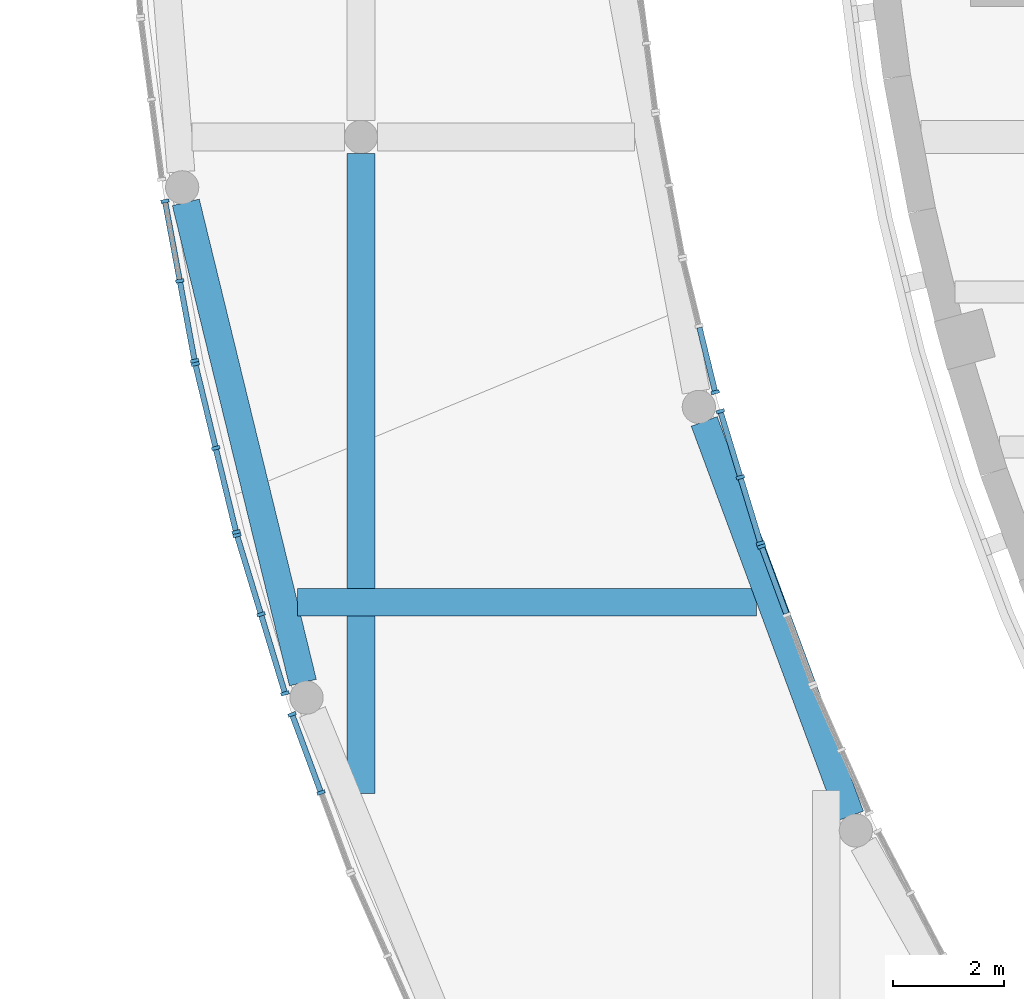
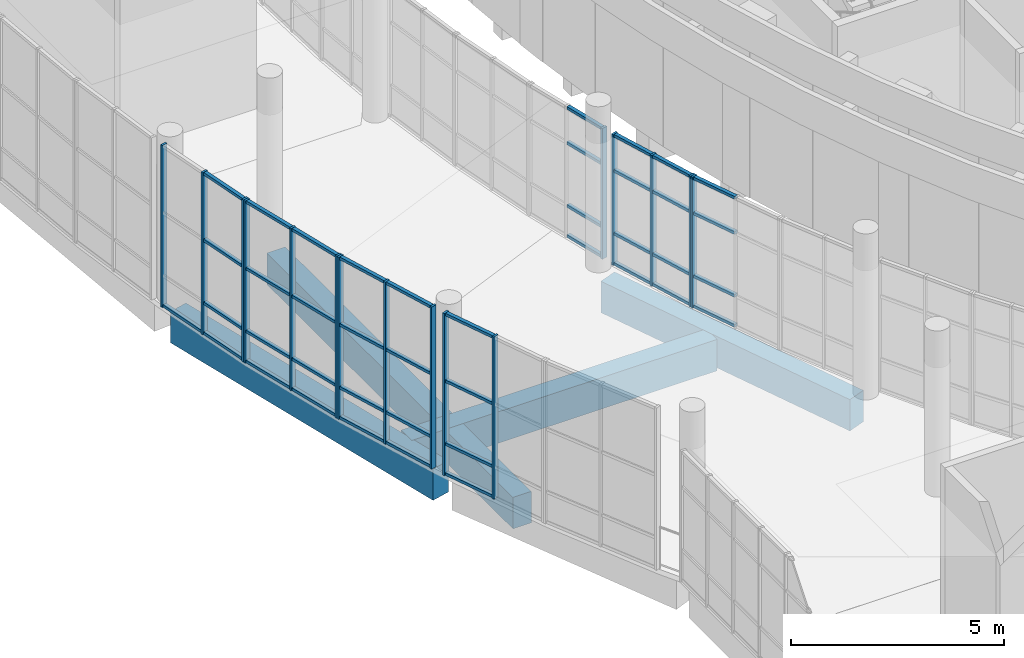
# One storey, part 16 of 119: 57 members, 4 beams, 7 elements without a shape of their own.
"""IFC4 building model written with IfcOpenShell, lengths in metres."""

from ifc_helpers import new_model, si_unit, direction, frame, origin, origin_2d, place, context, subcontext, project, spatial, rectangle, extrude, material, layer, layer_set, material_profile, profile_set, type_object, element, aggregate, save


model = new_model("IFC4")

# Units and contexts
model_context = context("Model", 3, precision=1e-05, world=origin(), true_north=direction((0.0, 1.0)))
body_context = subcontext(model_context, "Body", "Model", "MODEL_VIEW")
ifc_project = project(units=[si_unit("LENGTHUNIT", "METRE"), si_unit("AREAUNIT", "SQUARE_METRE"), si_unit("VOLUMEUNIT", "CUBIC_METRE"), si_unit("PLANEANGLEUNIT", "RADIAN"), si_unit("MASSUNIT", "GRAM", prefix="KILO")], contexts=[model_context])

# Site, building, storey
site_placement = place(None, origin())
site = spatial("IfcSite", under=ifc_project, at=site_placement, CompositionType="ELEMENT")
building_placement = place(site_placement, origin())
building = spatial("IfcBuilding", under=site, at=building_placement, Name="Larchfold Concert Hall", CompositionType="ELEMENT")
storey_placement = place(building_placement, frame((0.0, 0.0, 4.800048828125)))
storey = spatial("IfcBuildingStorey", under=building, at=storey_placement, Name="L01", CompositionType="ELEMENT", Elevation=4.800048828125)

# Curtain wall, member
ifc_material_1 = material(Name="Anodised graphite aluminium curtain wall", Category="aluminium")
ifc_layer = layer(ifc_material_1, 0.14990234375)
ifc_layer_set = layer_set([ifc_layer], Name="Anodised graphite aluminium curtain wall")
curtain_wall_type = type_object("IfcCurtainWallType", Name="Curtain wall WG", PredefinedType="NOTDEFINED", material=ifc_layer_set)
curtain_wall_1_placement = place(storey_placement, origin())
curtain_wall_1 = element("IfcCurtainWall", 1, at=curtain_wall_1_placement, inside=storey, type_object=curtain_wall_type, Name="Curtain wall CW0140", PredefinedType="NOTDEFINED")
ifc_material_2 = material(Name="Anodised graphite aluminium mullion", Category="aluminium")
ifc_material_profile_1 = material_profile(ifc_material_2, rectangle(XDim=0.14990234375, YDim=0.06005859375, at=origin_2d()))
ifc_profile_set_1 = profile_set([ifc_material_profile_1], Name="Anodised graphite aluminium mullion")
member_type_1 = type_object("IfcMemberType", Name="Aluminium mullion 60x150", PredefinedType="MULLION", material=ifc_profile_set_1)
member_1_placement = place(storey_placement, frame((16.230712890625, 68.808837890625, 0.0), z_axis=(0.0, 0.0, 1.0), x_axis=(-0.938001528432, -0.346631119, 0.0)))
member_1 = element("IfcMember", 2, at=member_1_placement, type_object=member_type_1, Name="CW0140 mullion 3", PredefinedType="MULLION", context=body_context, shape_type="SweptSolid", body=[
    extrude(rectangle(XDim=0.14990234375, YDim=0.06005859375, at=origin_2d()), origin(), (0.0, 0.0, 1.0), 3.75),
])

# Curtain wall, members
curtain_wall_2_placement = place(storey_placement, origin())
curtain_wall_2 = element("IfcCurtainWall", 3, at=curtain_wall_2_placement, inside=storey, type_object=curtain_wall_type, Name="Curtain wall CW0141", PredefinedType="NOTDEFINED")
member_2_placement = place(storey_placement, frame((16.21142578125, 68.86572265625, 0.0), z_axis=(0.0, 0.0, 1.0), x_axis=(-0.956861561902, -0.290544233044, 0.0)))
member_2 = element("IfcMember", 4, at=member_2_placement, type_object=member_type_1, Name="CW0141 mullion 1", PredefinedType="MULLION", context=body_context, shape_type="SweptSolid", body=[
    extrude(rectangle(XDim=0.14990234375, YDim=0.06005859375, at=origin_2d()), origin(), (0.0, 0.0, 1.0), 3.75),
])
member_3_placement = place(storey_placement, frame((15.849853515625, 70.056640625, 0.0), z_axis=(0.0, 0.0, 1.0), x_axis=(-0.956861561902, -0.290544233044, 0.0)))
member_3 = element("IfcMember", 5, at=member_3_placement, type_object=member_type_1, Name="CW0141 mullion 2", PredefinedType="MULLION", context=body_context, shape_type="SweptSolid", body=[
    extrude(rectangle(XDim=0.14990234375, YDim=0.06005859375, at=origin_2d()), origin(), (0.0, 0.0, 1.0), 3.75),
])
member_4_placement = place(storey_placement, frame((15.48828125, 71.24755859375, 0.0), z_axis=(0.0, 0.0, 1.0), x_axis=(-0.956861561902, -0.290544233044, 0.0)))
member_4 = element("IfcMember", 6, at=member_4_placement, type_object=member_type_1, Name="CW0141 mullion 3", PredefinedType="MULLION", context=body_context, shape_type="SweptSolid", body=[
    extrude(rectangle(XDim=0.14990234375, YDim=0.06005859375, at=origin_2d()), origin(), (0.0, 0.0, 1.0), 3.75),
])

# Curtain wall, member
curtain_wall_3_placement = place(storey_placement, origin())
curtain_wall_3 = element("IfcCurtainWall", 7, at=curtain_wall_3_placement, inside=storey, type_object=curtain_wall_type, Name="Curtain wall CW0142", PredefinedType="NOTDEFINED")
member_5_placement = place(storey_placement, frame((15.394775390625, 71.591796875, 0.0), z_axis=(0.0, 0.0, 1.0), x_axis=(-0.971766073128, -0.235946390347, 0.0)))
member_5 = element("IfcMember", 8, at=member_5_placement, type_object=member_type_1, Name="CW0142 mullion 1", PredefinedType="MULLION", context=body_context, shape_type="SweptSolid", body=[
    extrude(rectangle(XDim=0.14990234375, YDim=0.06005859375, at=origin_2d()), origin(), (0.0, 0.0, 1.0), 3.75),
])

# Curtain wall, members
curtain_wall_4_placement = place(storey_placement, origin())
curtain_wall_4 = element("IfcCurtainWall", 9, at=curtain_wall_4_placement, inside=storey, type_object=curtain_wall_type, Name="Curtain wall CW0199", PredefinedType="NOTDEFINED")
member_6_placement = place(storey_placement, frame((5.46240234375, 75.041748046875, 0.0), z_axis=(0.0, 0.0, 1.0), x_axis=(0.983230562544, 0.182366830535, 0.0)))
member_6 = element("IfcMember", 10, at=member_6_placement, type_object=member_type_1, Name="CW0199 mullion 1", PredefinedType="MULLION", context=body_context, shape_type="SweptSolid", body=[
    extrude(rectangle(XDim=0.14990234375, YDim=0.06005859375, at=origin_2d()), origin(), (0.0, 0.0, 1.0), 4.64990234375),
])
member_7_placement = place(storey_placement, frame((5.729736328125, 73.600341796875, 0.0), z_axis=(0.0, 0.0, 1.0), x_axis=(0.983230562544, 0.182366830535, 0.0)))
member_7 = element("IfcMember", 11, at=member_7_placement, type_object=member_type_1, Name="CW0199 mullion 2", PredefinedType="MULLION", context=body_context, shape_type="SweptSolid", body=[
    extrude(rectangle(XDim=0.14990234375, YDim=0.06005859375, at=origin_2d()), origin(), (0.0, 0.0, 1.0), 4.64990234375),
])
member_8_placement = place(storey_placement, frame((5.997314453125, 72.158935546875, 0.0), z_axis=(0.0, 0.0, 1.0), x_axis=(0.983230562544, 0.182366830535, 0.0)))
member_8 = element("IfcMember", 12, at=member_8_placement, type_object=member_type_1, Name="CW0199 mullion 3", PredefinedType="MULLION", context=body_context, shape_type="SweptSolid", body=[
    extrude(rectangle(XDim=0.14990234375, YDim=0.06005859375, at=origin_2d()), origin(), (0.0, 0.0, 1.0), 4.64990234375),
])

curtain_wall_5_placement = place(storey_placement, origin())
curtain_wall_5 = element("IfcCurtainWall", 13, at=curtain_wall_5_placement, inside=storey, type_object=curtain_wall_type, Name="Curtain wall CW0200", PredefinedType="NOTDEFINED")
member_9_placement = place(storey_placement, frame((6.009765625, 72.100341796875, 0.0), z_axis=(0.0, 0.0, 1.0), x_axis=(0.97176803509, 0.235938309687, 0.0)))
member_9 = element("IfcMember", 14, at=member_9_placement, type_object=member_type_1, Name="CW0200 mullion 1", PredefinedType="MULLION", context=body_context, shape_type="SweptSolid", body=[
    extrude(rectangle(XDim=0.14990234375, YDim=0.06005859375, at=origin_2d()), origin(), (0.0, 0.0, 1.0), 4.64990234375),
])
member_10_placement = place(storey_placement, frame((6.3779296875, 70.583984375, 0.0), z_axis=(0.0, 0.0, 1.0), x_axis=(0.97176803509, 0.235938309687, 0.0)))
member_10 = element("IfcMember", 15, at=member_10_placement, type_object=member_type_1, Name="CW0200 mullion 2", PredefinedType="MULLION", context=body_context, shape_type="SweptSolid", body=[
    extrude(rectangle(XDim=0.14990234375, YDim=0.06005859375, at=origin_2d()), origin(), (0.0, 0.0, 1.0), 4.64990234375),
])
member_11_placement = place(storey_placement, frame((6.74609375, 69.0673828125, 0.0), z_axis=(0.0, 0.0, 1.0), x_axis=(0.97176803509, 0.235938309687, 0.0)))
member_11 = element("IfcMember", 16, at=member_11_placement, type_object=member_type_1, Name="CW0200 mullion 3", PredefinedType="MULLION", context=body_context, shape_type="SweptSolid", body=[
    extrude(rectangle(XDim=0.14990234375, YDim=0.06005859375, at=origin_2d()), origin(), (0.0, 0.0, 1.0), 4.64990234375),
])

curtain_wall_6_placement = place(storey_placement, origin())
curtain_wall_6 = element("IfcCurtainWall", 17, at=curtain_wall_6_placement, inside=storey, type_object=curtain_wall_type, Name="Curtain wall CW0201", PredefinedType="NOTDEFINED")
member_12_placement = place(storey_placement, frame((6.761962890625, 69.009521484375, 0.0), z_axis=(0.0, 0.0, 1.0), x_axis=(0.956837952339, 0.29062197605, 0.0)))
member_12 = element("IfcMember", 18, at=member_12_placement, type_object=member_type_1, Name="CW0201 mullion 1", PredefinedType="MULLION", context=body_context, shape_type="SweptSolid", body=[
    extrude(rectangle(XDim=0.14990234375, YDim=0.06005859375, at=origin_2d()), origin(), (0.0, 0.0, 1.0), 4.64990234375),
])
member_13_placement = place(storey_placement, frame((7.1953125, 67.582763671875, 0.0), z_axis=(0.0, 0.0, 1.0), x_axis=(0.956837952339, 0.29062197605, 0.0)))
member_13 = element("IfcMember", 19, at=member_13_placement, type_object=member_type_1, Name="CW0201 mullion 2", PredefinedType="MULLION", context=body_context, shape_type="SweptSolid", body=[
    extrude(rectangle(XDim=0.14990234375, YDim=0.06005859375, at=origin_2d()), origin(), (0.0, 0.0, 1.0), 4.64990234375),
])
member_14_placement = place(storey_placement, frame((7.628662109375, 66.15576171875, 0.0), z_axis=(0.0, 0.0, 1.0), x_axis=(0.956837952339, 0.29062197605, 0.0)))
member_14 = element("IfcMember", 20, at=member_14_placement, type_object=member_type_1, Name="CW0201 mullion 3", PredefinedType="MULLION", context=body_context, shape_type="SweptSolid", body=[
    extrude(rectangle(XDim=0.14990234375, YDim=0.06005859375, at=origin_2d()), origin(), (0.0, 0.0, 1.0), 4.64990234375),
])

curtain_wall_7_placement = place(storey_placement, origin())
curtain_wall_7 = element("IfcCurtainWall", 21, at=curtain_wall_7_placement, inside=storey, type_object=curtain_wall_type, Name="Curtain wall CW0202", PredefinedType="NOTDEFINED")
member_15_placement = place(storey_placement, frame((7.756103515625, 65.77734375, 0.0), z_axis=(0.0, 0.0, 1.0), x_axis=(0.938015834921, 0.346592402451, 0.0)))
member_15 = element("IfcMember", 22, at=member_15_placement, type_object=member_type_1, Name="CW0202 mullion 1", PredefinedType="MULLION", context=body_context, shape_type="SweptSolid", body=[
    extrude(rectangle(XDim=0.14990234375, YDim=0.06005859375, at=origin_2d()), origin(), (0.0, 0.0, 1.0), 4.64990234375),
])
member_16_placement = place(storey_placement, frame((8.2783203125, 64.364013671875, 0.0), z_axis=(0.0, 0.0, 1.0), x_axis=(0.938015834921, 0.346592402451, 0.0)))
member_16 = element("IfcMember", 23, at=member_16_placement, type_object=member_type_1, Name="CW0202 mullion 2", PredefinedType="MULLION", context=body_context, shape_type="SweptSolid", body=[
    extrude(rectangle(XDim=0.14990234375, YDim=0.06005859375, at=origin_2d()), origin(), (0.0, 0.0, 1.0), 4.64990234375),
])

# Member
ifc_material_3 = material(Name="Anodised graphite aluminium transom", Category="aluminium")
ifc_material_profile_2 = material_profile(ifc_material_3, rectangle(XDim=0.10009765625, YDim=0.080078125, at=origin_2d()))
ifc_profile_set_2 = profile_set([ifc_material_profile_2], Name="Anodised graphite aluminium transom")
member_type_2 = type_object("IfcMemberType", Name="Aluminium transom 80x100", PredefinedType="USERDEFINED", material=ifc_profile_set_2)
member_17_placement = place(storey_placement, frame((16.677734375, 67.5986328125, 0.0400390625), z_axis=(-0.346639022733, 0.937998607631, 0.0), x_axis=(-0.937998607631, -0.346639022733, 0.0)))
member_17 = element("IfcMember", 24, at=member_17_placement, type_object=member_type_2, Name="CW0140 transom 2.1", ObjectType="TRANSOM", PredefinedType="USERDEFINED", context=body_context, shape_type="SweptSolid", body=[
    extrude(rectangle(XDim=0.10009765625, YDim=0.080078125, at=origin_2d()), origin(), (0.0, 0.0, 1.0), 1.260009765625),
])

member_18_placement = place(storey_placement, frame((16.677734375, 67.5986328125, 0.89990234375), z_axis=(-0.346639022733, 0.937998607631, 0.0), x_axis=(-0.937998607631, -0.346639022733, 0.0)))
member_18 = element("IfcMember", 25, at=member_18_placement, type_object=member_type_2, Name="CW0140 transom 2.2", ObjectType="TRANSOM", PredefinedType="USERDEFINED", context=body_context, shape_type="SweptSolid", body=[
    extrude(rectangle(XDim=0.10009765625, YDim=0.080078125, at=origin_2d()), origin(), (0.0, 0.0, 1.0), 1.260009765625),
])

member_19_placement = place(storey_placement, frame((16.677734375, 67.5986328125, 2.699951171875), z_axis=(-0.346639022733, 0.937998607631, 0.0), x_axis=(-0.937998607631, -0.346639022733, 0.0)))
member_19 = element("IfcMember", 26, at=member_19_placement, type_object=member_type_2, Name="CW0140 transom 2.3", ObjectType="TRANSOM", PredefinedType="USERDEFINED", context=body_context, shape_type="SweptSolid", body=[
    extrude(rectangle(XDim=0.10009765625, YDim=0.080078125, at=origin_2d()), origin(), (0.0, 0.0, 1.0), 1.260009765625),
])

member_20_placement = place(storey_placement, frame((16.677734375, 67.5986328125, 3.7099609375), z_axis=(-0.346639022733, 0.937998607631, 0.0), x_axis=(-0.937998607631, -0.346639022733, 0.0)))
member_20 = element("IfcMember", 27, at=member_20_placement, type_object=member_type_2, Name="CW0140 transom 2.4", ObjectType="TRANSOM", PredefinedType="USERDEFINED", context=body_context, shape_type="SweptSolid", body=[
    extrude(rectangle(XDim=0.10009765625, YDim=0.080078125, at=origin_2d()), origin(), (0.0, 0.0, 1.0), 1.260009765625),
])

aggregate(curtain_wall_1, [member_1, member_17, member_18, member_19, member_20])

member_21_placement = place(storey_placement, frame((16.202880859375, 68.894287109375, 0.0400390625), z_axis=(-0.290579319315, 0.956850907502, 0.0), x_axis=(-0.956850907502, -0.290579319315, 0.0)))
member_21 = element("IfcMember", 28, at=member_21_placement, type_object=member_type_2, Name="CW0141 transom 1.1", ObjectType="TRANSOM", PredefinedType="USERDEFINED", context=body_context, shape_type="SweptSolid", body=[
    extrude(rectangle(XDim=0.10009765625, YDim=0.080078125, at=origin_2d()), origin(), (0.0, 0.0, 1.0), 1.1845703125),
])

member_22_placement = place(storey_placement, frame((16.202880859375, 68.894287109375, 0.89990234375), z_axis=(-0.290579319315, 0.956850907502, 0.0), x_axis=(-0.956850907502, -0.290579319315, 0.0)))
member_22 = element("IfcMember", 29, at=member_22_placement, type_object=member_type_2, Name="CW0141 transom 1.2", ObjectType="TRANSOM", PredefinedType="USERDEFINED", context=body_context, shape_type="SweptSolid", body=[
    extrude(rectangle(XDim=0.10009765625, YDim=0.080078125, at=origin_2d()), origin(), (0.0, 0.0, 1.0), 1.1845703125),
])

member_23_placement = place(storey_placement, frame((16.202880859375, 68.894287109375, 2.699951171875), z_axis=(-0.290579319315, 0.956850907502, 0.0), x_axis=(-0.956850907502, -0.290579319315, 0.0)))
member_23 = element("IfcMember", 30, at=member_23_placement, type_object=member_type_2, Name="CW0141 transom 1.3", ObjectType="TRANSOM", PredefinedType="USERDEFINED", context=body_context, shape_type="SweptSolid", body=[
    extrude(rectangle(XDim=0.10009765625, YDim=0.080078125, at=origin_2d()), origin(), (0.0, 0.0, 1.0), 1.1845703125),
])

member_24_placement = place(storey_placement, frame((16.202880859375, 68.894287109375, 3.7099609375), z_axis=(-0.290579319315, 0.956850907502, 0.0), x_axis=(-0.956850907502, -0.290579319315, 0.0)))
member_24 = element("IfcMember", 31, at=member_24_placement, type_object=member_type_2, Name="CW0141 transom 1.4", ObjectType="TRANSOM", PredefinedType="USERDEFINED", context=body_context, shape_type="SweptSolid", body=[
    extrude(rectangle(XDim=0.10009765625, YDim=0.080078125, at=origin_2d()), origin(), (0.0, 0.0, 1.0), 1.1845703125),
])

member_25_placement = place(storey_placement, frame((15.841064453125, 70.08544921875, 0.0400390625), z_axis=(-0.290579319315, 0.956850907502, 0.0), x_axis=(-0.956850907502, -0.290579319315, 0.0)))
member_25 = element("IfcMember", 32, at=member_25_placement, type_object=member_type_2, Name="CW0141 transom 2.1", ObjectType="TRANSOM", PredefinedType="USERDEFINED", context=body_context, shape_type="SweptSolid", body=[
    extrude(rectangle(XDim=0.10009765625, YDim=0.080078125, at=origin_2d()), origin(), (0.0, 0.0, 1.0), 1.1845703125),
])

member_26_placement = place(storey_placement, frame((15.841064453125, 70.08544921875, 0.89990234375), z_axis=(-0.290579319315, 0.956850907502, 0.0), x_axis=(-0.956850907502, -0.290579319315, 0.0)))
member_26 = element("IfcMember", 33, at=member_26_placement, type_object=member_type_2, Name="CW0141 transom 2.2", ObjectType="TRANSOM", PredefinedType="USERDEFINED", context=body_context, shape_type="SweptSolid", body=[
    extrude(rectangle(XDim=0.10009765625, YDim=0.080078125, at=origin_2d()), origin(), (0.0, 0.0, 1.0), 1.1845703125),
])

member_27_placement = place(storey_placement, frame((15.841064453125, 70.08544921875, 2.699951171875), z_axis=(-0.290579319315, 0.956850907502, 0.0), x_axis=(-0.956850907502, -0.290579319315, 0.0)))
member_27 = element("IfcMember", 34, at=member_27_placement, type_object=member_type_2, Name="CW0141 transom 2.3", ObjectType="TRANSOM", PredefinedType="USERDEFINED", context=body_context, shape_type="SweptSolid", body=[
    extrude(rectangle(XDim=0.10009765625, YDim=0.080078125, at=origin_2d()), origin(), (0.0, 0.0, 1.0), 1.1845703125),
])

member_28_placement = place(storey_placement, frame((15.841064453125, 70.08544921875, 3.7099609375), z_axis=(-0.290579319315, 0.956850907502, 0.0), x_axis=(-0.956850907502, -0.290579319315, 0.0)))
member_28 = element("IfcMember", 35, at=member_28_placement, type_object=member_type_2, Name="CW0141 transom 2.4", ObjectType="TRANSOM", PredefinedType="USERDEFINED", context=body_context, shape_type="SweptSolid", body=[
    extrude(rectangle(XDim=0.10009765625, YDim=0.080078125, at=origin_2d()), origin(), (0.0, 0.0, 1.0), 1.1845703125),
])

aggregate(curtain_wall_2, [member_2, member_3, member_4, member_21, member_22, member_23, member_24, member_25, member_26, member_27, member_28])

member_29_placement = place(storey_placement, frame((15.3876953125, 71.62109375, 0.0400390625), z_axis=(-0.236053588848, 0.971740038895, 0.0), x_axis=(-0.971740038895, -0.236053588848, 0.0)))
member_29 = element("IfcMember", 36, at=member_29_placement, type_object=member_type_2, Name="CW0142 transom 1.1", ObjectType="TRANSOM", PredefinedType="USERDEFINED", context=body_context, shape_type="SweptSolid", body=[
    extrude(rectangle(XDim=0.10009765625, YDim=0.080078125, at=origin_2d()), origin(), (0.0, 0.0, 1.0), 1.1708984375),
])

member_30_placement = place(storey_placement, frame((15.3876953125, 71.62109375, 0.89990234375), z_axis=(-0.236053588848, 0.971740038895, 0.0), x_axis=(-0.971740038895, -0.236053588848, 0.0)))
member_30 = element("IfcMember", 37, at=member_30_placement, type_object=member_type_2, Name="CW0142 transom 1.2", ObjectType="TRANSOM", PredefinedType="USERDEFINED", context=body_context, shape_type="SweptSolid", body=[
    extrude(rectangle(XDim=0.10009765625, YDim=0.080078125, at=origin_2d()), origin(), (0.0, 0.0, 1.0), 1.1708984375),
])

member_31_placement = place(storey_placement, frame((15.3876953125, 71.62109375, 2.699951171875), z_axis=(-0.236053588848, 0.971740038895, 0.0), x_axis=(-0.971740038895, -0.236053588848, 0.0)))
member_31 = element("IfcMember", 38, at=member_31_placement, type_object=member_type_2, Name="CW0142 transom 1.3", ObjectType="TRANSOM", PredefinedType="USERDEFINED", context=body_context, shape_type="SweptSolid", body=[
    extrude(rectangle(XDim=0.10009765625, YDim=0.080078125, at=origin_2d()), origin(), (0.0, 0.0, 1.0), 1.1708984375),
])

member_32_placement = place(storey_placement, frame((15.3876953125, 71.62109375, 3.7099609375), z_axis=(-0.236053588848, 0.971740038895, 0.0), x_axis=(-0.971740038895, -0.236053588848, 0.0)))
member_32 = element("IfcMember", 39, at=member_32_placement, type_object=member_type_2, Name="CW0142 transom 1.4", ObjectType="TRANSOM", PredefinedType="USERDEFINED", context=body_context, shape_type="SweptSolid", body=[
    extrude(rectangle(XDim=0.10009765625, YDim=0.080078125, at=origin_2d()), origin(), (0.0, 0.0, 1.0), 1.1708984375),
])

aggregate(curtain_wall_3, [member_5, member_29, member_30, member_31, member_32])

member_33_placement = place(storey_placement, frame((5.468017578125, 75.01220703125, 0.0400390625), z_axis=(0.18233799129, -0.983235911128, 0.0), x_axis=(0.983235911128, 0.18233799129, 0.0)))
member_33 = element("IfcMember", 40, at=member_33_placement, type_object=member_type_2, Name="CW0199 transom 1.1", ObjectType="TRANSOM", PredefinedType="USERDEFINED", context=body_context, shape_type="SweptSolid", body=[
    extrude(rectangle(XDim=0.10009765625, YDim=0.080078125, at=origin_2d()), origin(), (0.0, 0.0, 1.0), 1.406005859375),
])

member_34_placement = place(storey_placement, frame((5.7353515625, 73.57080078125, 0.0400390625), z_axis=(0.18233799129, -0.983235911128, 0.0), x_axis=(0.983235911128, 0.18233799129, 0.0)))
member_34 = element("IfcMember", 41, at=member_34_placement, type_object=member_type_2, Name="CW0199 transom 2.1", ObjectType="TRANSOM", PredefinedType="USERDEFINED", context=body_context, shape_type="SweptSolid", body=[
    extrude(rectangle(XDim=0.10009765625, YDim=0.080078125, at=origin_2d()), origin(), (0.0, 0.0, 1.0), 1.406005859375),
])

member_35_placement = place(storey_placement, frame((5.7353515625, 73.57080078125, 0.89990234375), z_axis=(0.18233799129, -0.983235911128, 0.0), x_axis=(0.983235911128, 0.18233799129, 0.0)))
member_35 = element("IfcMember", 42, at=member_35_placement, type_object=member_type_2, Name="CW0199 transom 2.2", ObjectType="TRANSOM", PredefinedType="USERDEFINED", context=body_context, shape_type="SweptSolid", body=[
    extrude(rectangle(XDim=0.10009765625, YDim=0.080078125, at=origin_2d()), origin(), (0.0, 0.0, 1.0), 1.406005859375),
])

member_36_placement = place(storey_placement, frame((5.7353515625, 73.57080078125, 2.699951171875), z_axis=(0.18233799129, -0.983235911128, 0.0), x_axis=(0.983235911128, 0.18233799129, 0.0)))
member_36 = element("IfcMember", 43, at=member_36_placement, type_object=member_type_2, Name="CW0199 transom 2.3", ObjectType="TRANSOM", PredefinedType="USERDEFINED", context=body_context, shape_type="SweptSolid", body=[
    extrude(rectangle(XDim=0.10009765625, YDim=0.080078125, at=origin_2d()), origin(), (0.0, 0.0, 1.0), 1.406005859375),
])

member_37_placement = place(storey_placement, frame((5.7353515625, 73.57080078125, 4.60986328125), z_axis=(0.18233799129, -0.983235911128, 0.0), x_axis=(0.983235911128, 0.18233799129, 0.0)))
member_37 = element("IfcMember", 44, at=member_37_placement, type_object=member_type_2, Name="CW0199 transom 2.4", ObjectType="TRANSOM", PredefinedType="USERDEFINED", context=body_context, shape_type="SweptSolid", body=[
    extrude(rectangle(XDim=0.10009765625, YDim=0.080078125, at=origin_2d()), origin(), (0.0, 0.0, 1.0), 1.406005859375),
])

aggregate(curtain_wall_4, [member_6, member_7, member_8, member_33, member_34, member_35, member_36, member_37])

member_38_placement = place(storey_placement, frame((6.016845703125, 72.071044921875, 0.0400390625), z_axis=(0.235944645089, -0.971766496878, 0.0), x_axis=(0.971766496878, 0.235944645089, 0.0)))
member_38 = element("IfcMember", 45, at=member_38_placement, type_object=member_type_2, Name="CW0200 transom 1.1", ObjectType="TRANSOM", PredefinedType="USERDEFINED", context=body_context, shape_type="SweptSolid", body=[
    extrude(rectangle(XDim=0.10009765625, YDim=0.080078125, at=origin_2d()), origin(), (0.0, 0.0, 1.0), 1.50048828125),
])

member_39_placement = place(storey_placement, frame((6.016845703125, 72.071044921875, 0.89990234375), z_axis=(0.235944645089, -0.971766496878, 0.0), x_axis=(0.971766496878, 0.235944645089, 0.0)))
member_39 = element("IfcMember", 46, at=member_39_placement, type_object=member_type_2, Name="CW0200 transom 1.2", ObjectType="TRANSOM", PredefinedType="USERDEFINED", context=body_context, shape_type="SweptSolid", body=[
    extrude(rectangle(XDim=0.10009765625, YDim=0.080078125, at=origin_2d()), origin(), (0.0, 0.0, 1.0), 1.50048828125),
])

member_40_placement = place(storey_placement, frame((6.016845703125, 72.071044921875, 2.699951171875), z_axis=(0.235944645089, -0.971766496878, 0.0), x_axis=(0.971766496878, 0.235944645089, 0.0)))
member_40 = element("IfcMember", 47, at=member_40_placement, type_object=member_type_2, Name="CW0200 transom 1.3", ObjectType="TRANSOM", PredefinedType="USERDEFINED", context=body_context, shape_type="SweptSolid", body=[
    extrude(rectangle(XDim=0.10009765625, YDim=0.080078125, at=origin_2d()), origin(), (0.0, 0.0, 1.0), 1.50048828125),
])

member_41_placement = place(storey_placement, frame((6.016845703125, 72.071044921875, 4.60986328125), z_axis=(0.235944645089, -0.971766496878, 0.0), x_axis=(0.971766496878, 0.235944645089, 0.0)))
member_41 = element("IfcMember", 48, at=member_41_placement, type_object=member_type_2, Name="CW0200 transom 1.4", ObjectType="TRANSOM", PredefinedType="USERDEFINED", context=body_context, shape_type="SweptSolid", body=[
    extrude(rectangle(XDim=0.10009765625, YDim=0.080078125, at=origin_2d()), origin(), (0.0, 0.0, 1.0), 1.50048828125),
])

member_42_placement = place(storey_placement, frame((6.385009765625, 70.5546875, 0.0400390625), z_axis=(0.235944645089, -0.971766496878, 0.0), x_axis=(0.971766496878, 0.235944645089, 0.0)))
member_42 = element("IfcMember", 49, at=member_42_placement, type_object=member_type_2, Name="CW0200 transom 2.1", ObjectType="TRANSOM", PredefinedType="USERDEFINED", context=body_context, shape_type="SweptSolid", body=[
    extrude(rectangle(XDim=0.10009765625, YDim=0.080078125, at=origin_2d()), origin(), (0.0, 0.0, 1.0), 1.50048828125),
])

member_43_placement = place(storey_placement, frame((6.385009765625, 70.5546875, 0.89990234375), z_axis=(0.235944645089, -0.971766496878, 0.0), x_axis=(0.971766496878, 0.235944645089, 0.0)))
member_43 = element("IfcMember", 50, at=member_43_placement, type_object=member_type_2, Name="CW0200 transom 2.2", ObjectType="TRANSOM", PredefinedType="USERDEFINED", context=body_context, shape_type="SweptSolid", body=[
    extrude(rectangle(XDim=0.10009765625, YDim=0.080078125, at=origin_2d()), origin(), (0.0, 0.0, 1.0), 1.50048828125),
])

member_44_placement = place(storey_placement, frame((6.385009765625, 70.5546875, 2.699951171875), z_axis=(0.235944645089, -0.971766496878, 0.0), x_axis=(0.971766496878, 0.235944645089, 0.0)))
member_44 = element("IfcMember", 51, at=member_44_placement, type_object=member_type_2, Name="CW0200 transom 2.3", ObjectType="TRANSOM", PredefinedType="USERDEFINED", context=body_context, shape_type="SweptSolid", body=[
    extrude(rectangle(XDim=0.10009765625, YDim=0.080078125, at=origin_2d()), origin(), (0.0, 0.0, 1.0), 1.50048828125),
])

member_45_placement = place(storey_placement, frame((6.385009765625, 70.5546875, 4.60986328125), z_axis=(0.235944645089, -0.971766496878, 0.0), x_axis=(0.971766496878, 0.235944645089, 0.0)))
member_45 = element("IfcMember", 52, at=member_45_placement, type_object=member_type_2, Name="CW0200 transom 2.4", ObjectType="TRANSOM", PredefinedType="USERDEFINED", context=body_context, shape_type="SweptSolid", body=[
    extrude(rectangle(XDim=0.10009765625, YDim=0.080078125, at=origin_2d()), origin(), (0.0, 0.0, 1.0), 1.50048828125),
])

aggregate(curtain_wall_5, [member_9, member_10, member_11, member_38, member_39, member_40, member_41, member_42, member_43, member_44, member_45])

member_46_placement = place(storey_placement, frame((6.7705078125, 68.98095703125, 0.0400390625), z_axis=(0.29063218975, -0.956834850056, 0.0), x_axis=(0.956834850056, 0.29063218975, 0.0)))
member_46 = element("IfcMember", 53, at=member_46_placement, type_object=member_type_2, Name="CW0201 transom 1.1", ObjectType="TRANSOM", PredefinedType="USERDEFINED", context=body_context, shape_type="SweptSolid", body=[
    extrude(rectangle(XDim=0.10009765625, YDim=0.080078125, at=origin_2d()), origin(), (0.0, 0.0, 1.0), 1.431396484375),
])

member_47_placement = place(storey_placement, frame((6.7705078125, 68.98095703125, 0.89990234375), z_axis=(0.29063218975, -0.956834850056, 0.0), x_axis=(0.956834850056, 0.29063218975, 0.0)))
member_47 = element("IfcMember", 54, at=member_47_placement, type_object=member_type_2, Name="CW0201 transom 1.2", ObjectType="TRANSOM", PredefinedType="USERDEFINED", context=body_context, shape_type="SweptSolid", body=[
    extrude(rectangle(XDim=0.10009765625, YDim=0.080078125, at=origin_2d()), origin(), (0.0, 0.0, 1.0), 1.431396484375),
])

member_48_placement = place(storey_placement, frame((6.7705078125, 68.98095703125, 2.699951171875), z_axis=(0.29063218975, -0.956834850056, 0.0), x_axis=(0.956834850056, 0.29063218975, 0.0)))
member_48 = element("IfcMember", 55, at=member_48_placement, type_object=member_type_2, Name="CW0201 transom 1.3", ObjectType="TRANSOM", PredefinedType="USERDEFINED", context=body_context, shape_type="SweptSolid", body=[
    extrude(rectangle(XDim=0.10009765625, YDim=0.080078125, at=origin_2d()), origin(), (0.0, 0.0, 1.0), 1.431396484375),
])

member_49_placement = place(storey_placement, frame((6.7705078125, 68.98095703125, 4.60986328125), z_axis=(0.29063218975, -0.956834850056, 0.0), x_axis=(0.956834850056, 0.29063218975, 0.0)))
member_49 = element("IfcMember", 56, at=member_49_placement, type_object=member_type_2, Name="CW0201 transom 1.4", ObjectType="TRANSOM", PredefinedType="USERDEFINED", context=body_context, shape_type="SweptSolid", body=[
    extrude(rectangle(XDim=0.10009765625, YDim=0.080078125, at=origin_2d()), origin(), (0.0, 0.0, 1.0), 1.431396484375),
])

member_50_placement = place(storey_placement, frame((7.2041015625, 67.553955078125, 0.0400390625), z_axis=(0.29063218975, -0.956834850056, 0.0), x_axis=(0.956834850056, 0.29063218975, 0.0)))
member_50 = element("IfcMember", 57, at=member_50_placement, type_object=member_type_2, Name="CW0201 transom 2.1", ObjectType="TRANSOM", PredefinedType="USERDEFINED", context=body_context, shape_type="SweptSolid", body=[
    extrude(rectangle(XDim=0.10009765625, YDim=0.080078125, at=origin_2d()), origin(), (0.0, 0.0, 1.0), 1.431396484375),
])

member_51_placement = place(storey_placement, frame((7.2041015625, 67.553955078125, 0.89990234375), z_axis=(0.29063218975, -0.956834850056, 0.0), x_axis=(0.956834850056, 0.29063218975, 0.0)))
member_51 = element("IfcMember", 58, at=member_51_placement, type_object=member_type_2, Name="CW0201 transom 2.2", ObjectType="TRANSOM", PredefinedType="USERDEFINED", context=body_context, shape_type="SweptSolid", body=[
    extrude(rectangle(XDim=0.10009765625, YDim=0.080078125, at=origin_2d()), origin(), (0.0, 0.0, 1.0), 1.431396484375),
])

member_52_placement = place(storey_placement, frame((7.2041015625, 67.553955078125, 2.699951171875), z_axis=(0.29063218975, -0.956834850056, 0.0), x_axis=(0.956834850056, 0.29063218975, 0.0)))
member_52 = element("IfcMember", 59, at=member_52_placement, type_object=member_type_2, Name="CW0201 transom 2.3", ObjectType="TRANSOM", PredefinedType="USERDEFINED", context=body_context, shape_type="SweptSolid", body=[
    extrude(rectangle(XDim=0.10009765625, YDim=0.080078125, at=origin_2d()), origin(), (0.0, 0.0, 1.0), 1.431396484375),
])

member_53_placement = place(storey_placement, frame((7.2041015625, 67.553955078125, 4.60986328125), z_axis=(0.29063218975, -0.956834850056, 0.0), x_axis=(0.956834850056, 0.29063218975, 0.0)))
member_53 = element("IfcMember", 60, at=member_53_placement, type_object=member_type_2, Name="CW0201 transom 2.4", ObjectType="TRANSOM", PredefinedType="USERDEFINED", context=body_context, shape_type="SweptSolid", body=[
    extrude(rectangle(XDim=0.10009765625, YDim=0.080078125, at=origin_2d()), origin(), (0.0, 0.0, 1.0), 1.431396484375),
])

aggregate(curtain_wall_6, [member_12, member_13, member_14, member_46, member_47, member_48, member_49, member_50, member_51, member_52, member_53])

member_54_placement = place(storey_placement, frame((7.766357421875, 65.7490234375, 0.0400390625), z_axis=(0.346643684981, -0.937996884676, 0.0), x_axis=(0.937996884676, 0.346643684981, 0.0)))
member_54 = element("IfcMember", 61, at=member_54_placement, type_object=member_type_2, Name="CW0202 transom 1.1", ObjectType="TRANSOM", PredefinedType="USERDEFINED", context=body_context, shape_type="SweptSolid", body=[
    extrude(rectangle(XDim=0.10009765625, YDim=0.080078125, at=origin_2d()), origin(), (0.0, 0.0, 1.0), 1.446533203125),
])

member_55_placement = place(storey_placement, frame((7.766357421875, 65.7490234375, 0.89990234375), z_axis=(0.346643684981, -0.937996884676, 0.0), x_axis=(0.937996884676, 0.346643684981, 0.0)))
member_55 = element("IfcMember", 62, at=member_55_placement, type_object=member_type_2, Name="CW0202 transom 1.2", ObjectType="TRANSOM", PredefinedType="USERDEFINED", context=body_context, shape_type="SweptSolid", body=[
    extrude(rectangle(XDim=0.10009765625, YDim=0.080078125, at=origin_2d()), origin(), (0.0, 0.0, 1.0), 1.446533203125),
])

member_56_placement = place(storey_placement, frame((7.766357421875, 65.7490234375, 2.699951171875), z_axis=(0.346643684981, -0.937996884676, 0.0), x_axis=(0.937996884676, 0.346643684981, 0.0)))
member_56 = element("IfcMember", 63, at=member_56_placement, type_object=member_type_2, Name="CW0202 transom 1.3", ObjectType="TRANSOM", PredefinedType="USERDEFINED", context=body_context, shape_type="SweptSolid", body=[
    extrude(rectangle(XDim=0.10009765625, YDim=0.080078125, at=origin_2d()), origin(), (0.0, 0.0, 1.0), 1.446533203125),
])

member_57_placement = place(storey_placement, frame((7.766357421875, 65.7490234375, 4.60986328125), z_axis=(0.346643684981, -0.937996884676, 0.0), x_axis=(0.937996884676, 0.346643684981, 0.0)))
member_57 = element("IfcMember", 64, at=member_57_placement, type_object=member_type_2, Name="CW0202 transom 1.4", ObjectType="TRANSOM", PredefinedType="USERDEFINED", context=body_context, shape_type="SweptSolid", body=[
    extrude(rectangle(XDim=0.10009765625, YDim=0.080078125, at=origin_2d()), origin(), (0.0, 0.0, 1.0), 1.446533203125),
])

aggregate(curtain_wall_7, [member_15, member_16, member_54, member_55, member_56, member_57])

# Beams
ifc_material_4 = material(Name="Concrete C35/45", Category="concrete")
ifc_material_profile_3 = material_profile(ifc_material_4, rectangle(XDim=0.5, YDim=0.89990234375, at=origin_2d()))
ifc_profile_set_3 = profile_set([ifc_material_profile_3], Name="Concrete C35/45")
beam_type = type_object("IfcBeamType", Name="Beam RC 500x900", PredefinedType="BEAM", material=ifc_profile_set_3)
beam_1_placement = place(storey_placement, frame((7.95166015625, 66.35107421875, -0.60009765625), z_axis=(-0.236787328318, 0.971561506621, 0.0), x_axis=(-0.971561506621, -0.236787328318, 0.0)))
element("IfcBeam", 65, at=beam_1_placement, inside=storey, type_object=beam_type, Name="Beam B1870", PredefinedType="BEAM", context=body_context, shape_type="SweptSolid", body=[
    extrude(rectangle(XDim=0.5, YDim=0.89990234375, at=origin_2d()), origin(), (0.0, 0.0, 1.0), 8.920654296875),
])
beam_2_placement = place(storey_placement, frame((15.1962890625, 71.064453125, -0.60009765625), z_axis=(0.34751012109, -0.937676231831, 0.0), x_axis=(0.937676231831, 0.34751012109, 0.0)))
element("IfcBeam", 66, at=beam_2_placement, inside=storey, type_object=beam_type, Name="Beam B1890", PredefinedType="BEAM", context=body_context, shape_type="SweptSolid", body=[
    extrude(rectangle(XDim=0.5, YDim=0.89990234375, at=origin_2d()), origin(), (0.0, 0.0, 1.0), 7.59521484375),
])
beam_3_placement = place(storey_placement, frame((9.0, 64.343994140625, -0.60009765625), z_axis=(0.0, 1.0, 0.0), x_axis=(-1.0, 0.0, 0.0)))
element("IfcBeam", 67, at=beam_3_placement, inside=storey, type_object=beam_type, Name="Beam B1892", PredefinedType="BEAM", context=body_context, shape_type="SweptSolid", body=[
    extrude(rectangle(XDim=0.5, YDim=0.89990234375, at=origin_2d()), origin(), (0.0, 0.0, 1.0), 11.557373046875),
])
beam_4_placement = place(storey_placement, frame((7.85595703125, 67.800048828125, -0.60009765625), z_axis=(1.0, 0.0, 0.0), x_axis=(0.0, 1.0, 0.0)))
element("IfcBeam", 68, at=beam_4_placement, inside=storey, type_object=beam_type, Name="Beam B1919", PredefinedType="BEAM", context=body_context, shape_type="SweptSolid", body=[
    extrude(rectangle(XDim=0.5, YDim=0.89990234375, at=origin_2d()), origin(), (0.0, 0.0, 1.0), 8.283447265625),
])

save(model, "model.ifc")
